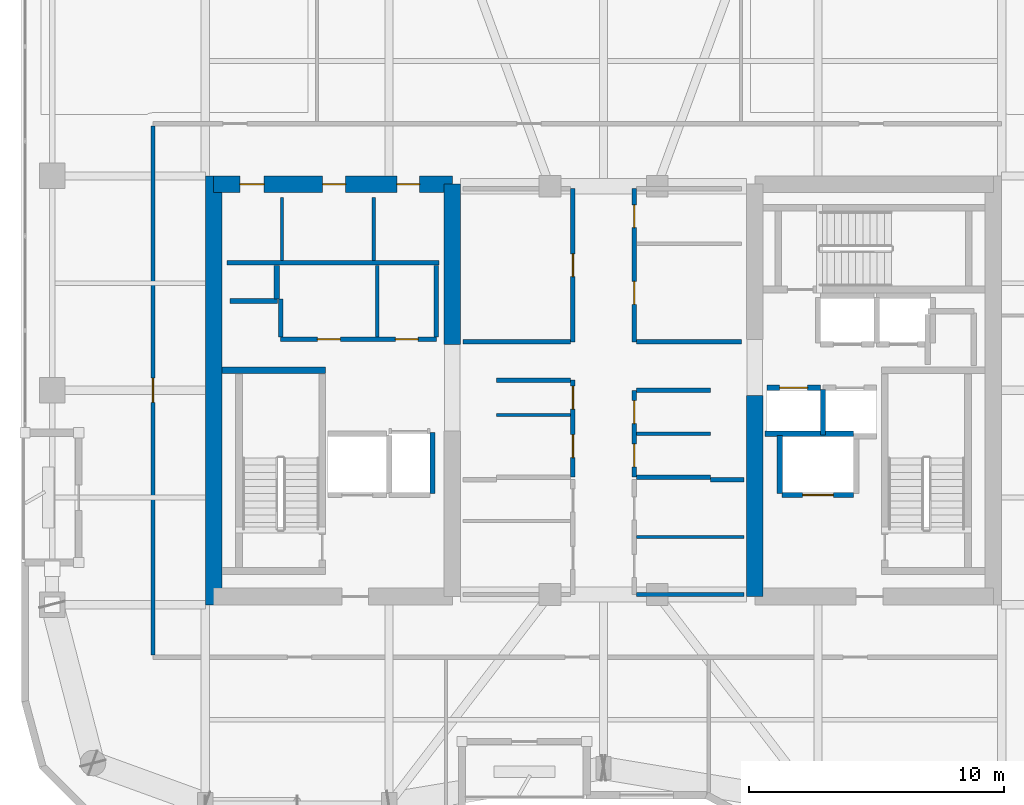
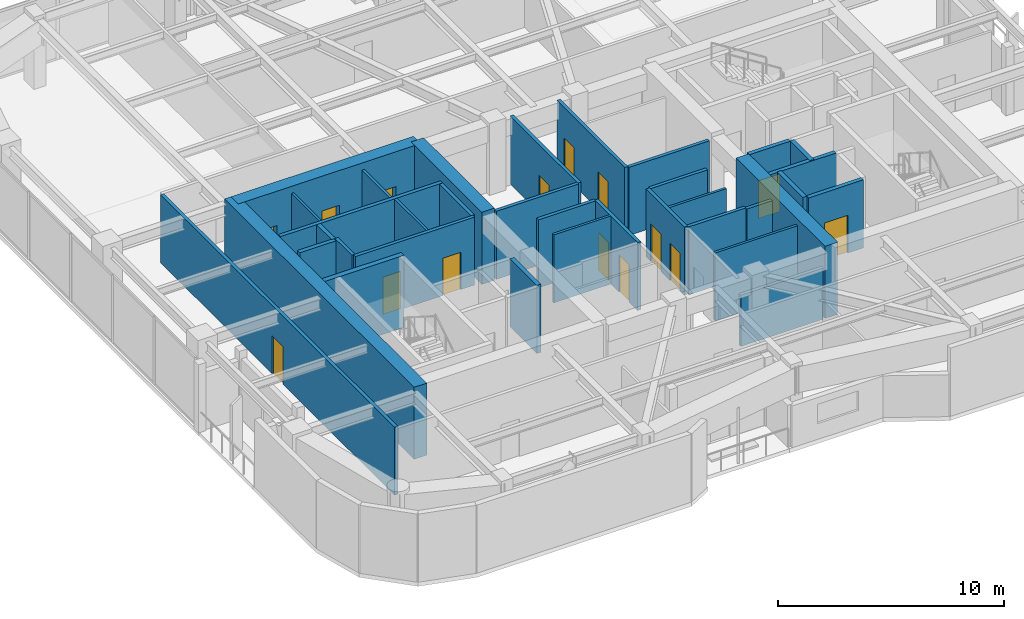
# One storey, part 16 of 21: 35 walls, 15 doors, 15 openings.
"""IFC4 building model written with IfcOpenShell, lengths in metres."""

import ifcopenshell
import ifcopenshell.guid

model = None  # the IFC model being written
_history = None  # IfcOwnerHistory: only IFC2X3 demands one
_inside = {}  # id of a spatial element -> (the spatial element, [elements in it])
_under = {}  # id of a project, library or spatial element -> (it, [spatial elements below it])
_declared = {}  # id of a project -> (the project, [libraries it declares])
_typed = {}  # id of a type object -> (the type object, [elements of that type])
_made_of = {}  # id of a material, layer set ... -> (it, [elements and type objects made of it])


def new_model(schema):
    """Start an empty IFC model of exactly this schema.

    Asked for "IFC4X3", IfcOpenShell would pick the latest addendum, in which some entities
    have other attributes; the version numbers below select the first issue.
    IFC2X3 requires an IfcOwnerHistory on every rooted entity: one is made here for all.
    """
    global model, _history
    if schema == "IFC4X3":
        model = ifcopenshell.file(schema_version=(4, 3, 0, 0))
    else:
        model = ifcopenshell.file(schema=schema)
    _inside.clear()
    _under.clear()
    _declared.clear()
    _typed.clear()
    _made_of.clear()
    _history = None
    if model.schema == "IFC2X3":
        org = make("IfcOrganization", Name="unknown")
        user = make(
            "IfcPersonAndOrganization",
            ThePerson=make("IfcPerson", FamilyName="unknown"),
            TheOrganization=org,
        )
        app = make(
            "IfcApplication",
            ApplicationDeveloper=org,
            Version="unknown",
            ApplicationFullName="unknown",
            ApplicationIdentifier="unknown",
        )
        _history = make(
            "IfcOwnerHistory",
            OwningUser=user,
            OwningApplication=app,
            ChangeAction="ADDED",
            CreationDate=0,
        )
    return model


def make(cls, **values):
    """One entity of the class cls with the attributes given. An attribute that is None is left unset."""
    return model.create_entity(
        cls, **{name: value for name, value in values.items() if value is not None}
    )


def rooted(cls, **values):
    """An entity with a GlobalId (a new one), such as an element, a storey or a relation."""
    return make(cls, GlobalId=ifcopenshell.guid.new(), OwnerHistory=_history, **values)


def si_unit(unit_type, name, prefix=None):
    """IfcSIUnit, for example si_unit("LENGTHUNIT", "METRE", prefix="MILLI")."""
    return make("IfcSIUnit", UnitType=unit_type, Prefix=prefix, Name=name)


def assignment(units):
    """IfcUnitAssignment: the units of a project."""
    return None if units is None else make("IfcUnitAssignment", Units=units)


def point(xyz):
    """IfcCartesianPoint."""
    return None if xyz is None else make("IfcCartesianPoint", Coordinates=xyz)


def direction(xyz):
    """IfcDirection."""
    return None if xyz is None else make("IfcDirection", DirectionRatios=xyz)


def frame(location, z_axis=None, x_axis=None):
    """IfcAxis2Placement3D, a coordinate frame: its origin and axes. An axis left out is left unset."""
    return make(
        "IfcAxis2Placement3D",
        Location=point(location),
        Axis=direction(z_axis),
        RefDirection=direction(x_axis),
    )


def frame_2d(location, x_axis=None):
    """IfcAxis2Placement2D, a coordinate frame in the plane: its origin and x axis."""
    return make(
        "IfcAxis2Placement2D", Location=point(location), RefDirection=direction(x_axis)
    )


def origin():
    """The frame at (0, 0, 0) with its axes left unset."""
    return frame((0.0, 0.0, 0.0))


def place(relative_to, where):
    """IfcLocalPlacement: puts the frame where relative to a parent placement (None: the world)."""
    return make(
        "IfcLocalPlacement", PlacementRelTo=relative_to, RelativePlacement=where
    )


def context(
    kind, dimensions, precision=None, world=None, true_north=None, identifier=None
):
    """IfcGeometricRepresentationContext, for example the 3D "Model" context."""
    return make(
        "IfcGeometricRepresentationContext",
        ContextIdentifier=identifier,
        ContextType=kind,
        CoordinateSpaceDimension=dimensions,
        Precision=precision,
        WorldCoordinateSystem=world,
        TrueNorth=true_north,
    )


def subcontext(parent, identifier, kind, view, scale=None):
    """IfcGeometricRepresentationSubContext, for example "Body" below "Model"."""
    return make(
        "IfcGeometricRepresentationSubContext",
        ContextIdentifier=identifier,
        ContextType=kind,
        ParentContext=parent,
        TargetScale=scale,
        TargetView=view,
    )


def project(units=None, contexts=None):
    """IfcProject with its units and contexts."""
    return rooted(
        "IfcProject",
        Name="project",
        RepresentationContexts=contexts,
        UnitsInContext=assignment(units),
    )


def spatial(cls, under=None, at=None, **own):
    """A site, building, storey or space (cls), placed at a placement, below another one or the project."""
    s = rooted(cls, ObjectPlacement=at, **own)
    if under is not None:
        _under.setdefault(under.id(), (under, []))[1].append(s)
    return s


def profile(cls, at=None, kind="AREA", **sizes):
    """A parametric profile (cls). Its sizes go by their IFC names, for example OverallWidth=200.0."""
    return make(cls, ProfileType=kind, Position=at, **sizes)


def rectangle(**sizes):
    """IfcRectangleProfileDef."""
    return profile("IfcRectangleProfileDef", **sizes)


def extrude(swept, where, along, depth):
    """IfcExtrudedAreaSolid: the profile swept, set in the frame where, extruded along a direction by depth."""
    return make(
        "IfcExtrudedAreaSolid",
        SweptArea=swept,
        Position=where,
        ExtrudedDirection=direction(along),
        Depth=depth,
    )


def shape(context_of_items, identifier, shape_type, items):
    """IfcShapeRepresentation: the items that make up one representation, for example the "Body"."""
    return make(
        "IfcShapeRepresentation",
        ContextOfItems=context_of_items,
        RepresentationIdentifier=identifier,
        RepresentationType=shape_type,
        Items=items,
    )


def material(Name=None, Category=None):
    """IfcMaterial."""
    return make("IfcMaterial", Name=Name, Category=Category)


def layer(
    of_material, thickness, ventilated=None, Name=None, Category=None, Priority=None
):
    """IfcMaterialLayer: one layer of a wall or slab, of a material (None: an air gap)."""
    return make(
        "IfcMaterialLayer",
        Material=of_material,
        LayerThickness=thickness,
        IsVentilated=ventilated,
        Name=Name,
        Category=Category,
        Priority=Priority,
    )


def layer_set(layers, Name=None):
    """IfcMaterialLayerSet."""
    return make("IfcMaterialLayerSet", MaterialLayers=layers, LayerSetName=Name)


def made_of(thing, what):
    """Note that an element or type object is made of a material, layer set ...; save() writes the relation."""
    if what is not None:
        _made_of.setdefault(what.id(), (what, []))[1].append(thing)
    return thing


def type_object(cls, material=None, **own):
    """A type object (cls), such as IfcWallType, which elements share."""
    return made_of(rooted(cls, **own), material)


def element(
    cls,
    number,
    at=None,
    inside=None,
    cuts=None,
    type_object=None,
    material=None,
    context=None,
    identifier="Body",
    shape_type=None,
    held_by="IfcProductDefinitionShape",
    body=None,
    shapes=None,
    **own,
):
    """One element of the class cls, such as IfcWall. Its Tag is "e" and its number.

    at: its placement. inside: the storey or other place that contains it. cuts: it is an
    opening in that element (IfcRelVoidsElement). A single representation is given by context,
    identifier, shape_type and body (its items); several are given by shapes. held_by: the class
    of the entity that holds the representations. save() writes the other relations.
    """
    e = rooted(cls, Tag="e%d" % number, ObjectPlacement=at, **own)
    if body is not None:
        shapes = [shape(context, identifier, shape_type, body)]
    if shapes is not None:
        e.Representation = make(held_by, Representations=shapes)
    if inside is not None:
        _inside.setdefault(inside.id(), (inside, []))[1].append(e)
    if cuts is not None:
        rooted(
            "IfcRelVoidsElement", RelatingBuildingElement=cuts, RelatedOpeningElement=e
        )
    if type_object is not None:
        _typed.setdefault(type_object.id(), (type_object, []))[1].append(e)
    return made_of(e, material)


def fill(opening, filler):
    """IfcRelFillsElement: the door or window that sits in an opening."""
    return rooted(
        "IfcRelFillsElement",
        RelatingOpeningElement=opening,
        RelatedBuildingElement=filler,
    )


def aggregate(whole, parts):
    """IfcRelAggregates: a whole, such as a stair, and the parts it consists of."""
    return rooted("IfcRelAggregates", RelatingObject=whole, RelatedObjects=parts)


def save(model, path):
    """Write the relations noted so far, then the file.

    IfcRelAggregates (storeys below a building ...), IfcRelContainedInSpatialStructure (elements
    in a storey), IfcRelDefinesByType, IfcRelAssociatesMaterial and IfcRelDeclares: one each for
    every whole, place, type object, material and project.
    """
    for whole, parts in _under.values():
        aggregate(whole, parts)
    for where, things in _inside.values():
        rooted(
            "IfcRelContainedInSpatialStructure",
            RelatedElements=things,
            RelatingStructure=where,
        )
    for kind, things in _typed.values():
        rooted("IfcRelDefinesByType", RelatedObjects=things, RelatingType=kind)
    for what, things in _made_of.values():
        rooted("IfcRelAssociatesMaterial", RelatedObjects=things, RelatingMaterial=what)
    for by, libraries in _declared.values():
        rooted("IfcRelDeclares", RelatingContext=by, RelatedDefinitions=libraries)
    model.write(path)


model = new_model("IFC4")

# Units and contexts
model_context = context("Model", 3, precision=1e-05, world=origin(), true_north=direction((0.0, 1.0)))
body_context = subcontext(model_context, "Body", "Model", "MODEL_VIEW")
ifc_project = project(units=[si_unit("LENGTHUNIT", "METRE"), si_unit("AREAUNIT", "SQUARE_METRE"), si_unit("VOLUMEUNIT", "CUBIC_METRE"), si_unit("PLANEANGLEUNIT", "RADIAN"), si_unit("MASSUNIT", "GRAM", prefix="KILO")], contexts=[model_context])

# Site, building, storey
site_placement = place(None, origin())
site = spatial("IfcSite", under=ifc_project, at=site_placement, CompositionType="ELEMENT")
building_placement = place(site_placement, origin())
building = spatial("IfcBuilding", under=site, at=building_placement, Name="Kiyonajd Concourse Tower", CompositionType="ELEMENT")
storey_placement = place(building_placement, frame((0.0, 0.0, 231.0)))
storey = spatial("IfcBuildingStorey", under=building, at=storey_placement, Name="L58", CompositionType="ELEMENT", Elevation=231.0)

# Walls
ifc_material_1 = material(Name="Concrete C60/75", Category="concrete")
ifc_layer_1 = layer(ifc_material_1, 0.64990234375)
ifc_layer_set_1 = layer_set([ifc_layer_1], Name="Concrete C60/75")
wall_type_1 = type_object("IfcWallType", Name="WL-CORE-650", PredefinedType="SHEAR", material=ifc_layer_set_1)
wall_1_placement = place(storey_placement, frame((32.72509765625, 27.60009765625, 0.0), z_axis=(0.0, 0.0, 1.0), x_axis=(0.0, 1.0, 0.0)))
element("IfcWall", 1, at=wall_1_placement, inside=storey, type_object=wall_type_1, Name="L58 West Core Outer Shear Wall", PredefinedType="SHEAR", context=body_context, shape_type="SweptSolid", body=[
    extrude(rectangle(XDim=16.7998046875, YDim=0.64990234375, at=frame_2d((8.39990234375, 0.0))), origin(), (0.0, 0.0, 1.0), 3.89990234375),
])
wall_2_placement = place(storey_placement, frame((42.074951171875, 37.800048828125, 0.0), z_axis=(0.0, 0.0, 1.0), x_axis=(0.0, 1.0, 0.0)))
element("IfcWall", 2, at=wall_2_placement, inside=storey, type_object=wall_type_1, Name="L58 West Core Inner North Shear Wall", PredefinedType="SHEAR", context=body_context, shape_type="SweptSolid", body=[
    extrude(rectangle(XDim=6.27490234375, YDim=0.64990234375, at=frame_2d((3.137451171875, 0.0))), origin(), (0.0, 0.0, 1.0), 3.89990234375),
])

# Wall, openings, doors
wall_3_placement = place(storey_placement, frame((32.72509765625, 44.074951171875, 0.0), z_axis=(0.0, 0.0, 1.0), x_axis=(1.0, 0.0, 0.0)))
wall_3 = element("IfcWall", 3, at=wall_3_placement, inside=storey, type_object=wall_type_1, Name="L58 West Core North Shear Wall", PredefinedType="SHEAR", context=body_context, shape_type="SweptSolid", body=[
    extrude(rectangle(XDim=9.349853515625, YDim=0.64990234375, at=frame_2d((4.6748046875, 0.0))), origin(), (0.0, 0.0, 1.0), 3.89990234375),
])
opening_1_placement = place(wall_3_placement, frame((1.02490234375, 0.0, 0.0)))
opening_1 = element("IfcOpeningElement", 4, at=opening_1_placement, cuts=wall_3, Name="Opening DI1", PredefinedType="OPENING", context=body_context, shape_type="SweptSolid", body=[
    extrude(rectangle(XDim=0.949951171875, YDim=2.0400390625, at=frame_2d((0.47509765625, 1.02001953125))), frame((0.0, 0.3349609375, 0.0), z_axis=(0.0, -1.0, 0.0), x_axis=(1.0, 0.0, 0.0)), (0.0, 0.0, 1.0), 0.669921875),
])
opening_2_placement = place(wall_3_placement, frame((4.27490234375, 0.0, 0.0)))
opening_2 = element("IfcOpeningElement", 5, at=opening_2_placement, cuts=wall_3, Name="Opening DI2", PredefinedType="OPENING", context=body_context, shape_type="SweptSolid", body=[
    extrude(rectangle(XDim=0.89990234375, YDim=2.02001953125, at=frame_2d((0.449951171875, 1.010009765625))), frame((0.0, 0.3349609375, 0.0), z_axis=(0.0, -1.0, 0.0), x_axis=(1.0, 0.0, 0.0)), (0.0, 0.0, 1.0), 0.669921875),
])
opening_3_placement = place(wall_3_placement, frame((7.175048828125, 0.0, 0.0)))
opening_3 = element("IfcOpeningElement", 6, at=opening_3_placement, cuts=wall_3, Name="Opening DI2", PredefinedType="OPENING", context=body_context, shape_type="SweptSolid", body=[
    extrude(rectangle(XDim=0.89990234375, YDim=2.02001953125, at=frame_2d((0.449951171875, 1.010009765625))), frame((0.0, 0.3349609375, 0.0), z_axis=(0.0, -1.0, 0.0), x_axis=(1.0, 0.0, 0.0)), (0.0, 0.0, 1.0), 0.669921875),
])
ifc_material_2 = material(Name="Natural Oak Acoustic Timber Veneer", Category="wood")
door_type_1 = type_object("IfcDoorType", Name="DR-INT-900", OperationType="NOTDEFINED", PredefinedType="DOOR", material=ifc_material_2)
door_1_placement = place(opening_2_placement, origin())
door_1 = element("IfcDoor", 7, at=door_1_placement, inside=storey, type_object=door_type_1, Name="L58 Male Restroom Door", OperationType="SINGLE_SWING_RIGHT", OverallHeight=2.02001953125, OverallWidth=0.89990234375, PredefinedType="DOOR", context=body_context, shape_type="SweptSolid", body=[
    extrude(rectangle(XDim=0.89990234375, YDim=2.02001953125, at=frame_2d((0.449951171875, 1.010009765625))), frame((0.0, 0.02490234375, 0.0), z_axis=(0.0, -1.0, 0.0), x_axis=(1.0, 0.0, 0.0)), (0.0, 0.0, 1.0), 0.050048828125),
])
fill(opening_2, door_1)
door_2_placement = place(opening_3_placement, origin())
door_2 = element("IfcDoor", 8, at=door_2_placement, inside=storey, type_object=door_type_1, Name="L58 Female Restroom Door", OperationType="SINGLE_SWING_LEFT", OverallHeight=2.02001953125, OverallWidth=0.89990234375, PredefinedType="DOOR", context=body_context, shape_type="SweptSolid", body=[
    extrude(rectangle(XDim=0.89990234375, YDim=2.02001953125, at=frame_2d((0.449951171875, 1.010009765625))), frame((0.0, 0.02490234375, 0.0), z_axis=(0.0, -1.0, 0.0), x_axis=(1.0, 0.0, 0.0)), (0.0, 0.0, 1.0), 0.050048828125),
])
fill(opening_3, door_2)
door_type_2 = type_object("IfcDoorType", Name="DR-INT-950", OperationType="NOTDEFINED", PredefinedType="DOOR", material=ifc_material_2)
door_3_placement = place(opening_1_placement, origin())
door_3 = element("IfcDoor", 9, at=door_3_placement, inside=storey, type_object=door_type_2, Name="L58 Single User Accessible WC Door", OperationType="SINGLE_SWING_LEFT", OverallHeight=2.0400390625, OverallWidth=0.949951171875, PredefinedType="DOOR", context=body_context, shape_type="SweptSolid", body=[
    extrude(rectangle(XDim=0.949951171875, YDim=2.0400390625, at=frame_2d((0.47509765625, 1.02001953125))), frame((0.0, 0.02490234375, 0.0), z_axis=(0.0, -1.0, 0.0), x_axis=(1.0, 0.0, 0.0)), (0.0, 0.0, 1.0), 0.050048828125),
])
fill(opening_1, door_3)

# Walls
wall_4_placement = place(storey_placement, frame((53.925048828125, 27.925048828125, 0.0), z_axis=(0.0, 0.0, 1.0), x_axis=(0.0, 1.0, 0.0)))
element("IfcWall", 10, at=wall_4_placement, inside=storey, type_object=wall_type_1, Name="L58 East Core Inner South Shear Wall", PredefinedType="SHEAR", context=body_context, shape_type="SweptSolid", body=[
    extrude(rectangle(XDim=7.875, YDim=0.64990234375, at=frame_2d((3.9375, 0.0))), origin(), (0.0, 0.0, 1.0), 3.89990234375),
])
ifc_material_3 = material(Name="Gypsum Board on Cold-Formed Steel Stud", Category="steel")
ifc_layer_2 = layer(ifc_material_3, 0.125)
ifc_layer_set_2 = layer_set([ifc_layer_2], Name="Gypsum Board on Cold-Formed Steel Stud")
wall_type_2 = type_object("IfcWallType", Name="WL-PART-125", PredefinedType="PARTITIONING", material=ifc_layer_set_2)
for number, where, z_axis, x_axis, name in (
    (11, (35.39990234375, 41.094970703125, 0.0), (0.0, 0.0, 1.0), (0.0, 1.0, 0.0), "L58 Interior Partition Wall"),
    (12, (39.0, 41.094970703125, 0.0), (0.0, 0.0, 1.0), (0.0, 1.0, 0.0), "L58 Interior Partition Wall"),
):
    element("IfcWall", number, at=place(storey_placement, frame(where, z_axis=z_axis, x_axis=x_axis)), inside=storey, type_object=wall_type_2, Name=name, PredefinedType="PARTITIONING", context=body_context, shape_type="SweptSolid", body=[
        extrude(rectangle(XDim=2.455078125, YDim=0.125, at=frame_2d((1.2275390625, 0.0))), origin(), (0.0, 0.0, 1.0), 3.679931640625),
    ])
wall_5_placement = place(storey_placement, frame((39.132080078125, 38.0869140625, 0.0), z_axis=(0.0, 0.0, 1.0), x_axis=(0.0, 1.0, 0.0)))
element("IfcWall", 13, at=wall_5_placement, inside=storey, type_object=wall_type_2, Name="L58 Interior Partition Wall", PredefinedType="PARTITIONING", context=body_context, shape_type="SweptSolid", body=[
    extrude(rectangle(XDim=2.81298828125, YDim=0.125, at=frame_2d((1.406494140625, 0.0))), origin(), (0.0, 0.0, 1.0), 3.679931640625),
])
for number, where, z_axis, x_axis, name in (
    (14, (43.800048828125, 35.031982421875, 0.0), (0.0, 0.0, 1.0), (1.0, 0.0, 0.0), "L58 Interior Partition Wall"),
    (15, (49.287109375, 34.300048828125, 0.0), (0.0, 0.0, 1.0), (1.0, 0.0, 0.0), "L58 Interior Partition Wall"),
):
    element("IfcWall", number, at=place(storey_placement, frame(where, z_axis=z_axis, x_axis=x_axis)), inside=storey, type_object=wall_type_2, Name=name, PredefinedType="PARTITIONING", context=body_context, shape_type="SweptSolid", body=[
        extrude(rectangle(XDim=2.912841796875, YDim=0.125, at=frame_2d((1.45654296875, 0.0))), origin(), (0.0, 0.0, 1.0), 3.679931640625),
    ])
wall_6_placement = place(storey_placement, frame((49.287109375, 30.25, 0.0), z_axis=(0.0, 0.0, 1.0), x_axis=(1.0, 0.0, 0.0)))
element("IfcWall", 16, at=wall_6_placement, inside=storey, type_object=wall_type_2, Name="L58 Interior Partition Wall", PredefinedType="PARTITIONING", context=body_context, shape_type="SweptSolid", body=[
    extrude(rectangle(XDim=4.212890625, YDim=0.125, at=frame_2d((2.1064453125, 0.0))), origin(), (0.0, 0.0, 1.0), 3.679931640625),
])
ifc_layer_3 = layer(ifc_material_3, 0.18994140625)
ifc_layer_set_3 = layer_set([ifc_layer_3], Name="Gypsum Board on Cold-Formed Steel Stud")
wall_type_3 = type_object("IfcWallType", Name="WL-PLMB-190", PredefinedType="PLUMBINGWALL", material=ifc_layer_set_3)
wall_7_placement = place(storey_placement, frame((33.25, 41.0, 0.0), z_axis=(0.0, 0.0, 1.0), x_axis=(1.0, 0.0, 0.0)))
element("IfcWall", 17, at=wall_7_placement, inside=storey, type_object=wall_type_3, Name="L58 Interior Partition Wall", PredefinedType="PLUMBINGWALL", context=body_context, shape_type="SweptSolid", body=[
    extrude(rectangle(XDim=8.300048828125, YDim=0.18994140625, at=frame_2d((4.14990234375, 0.0))), origin(), (0.0, 0.0, 1.0), 3.679931640625),
])
ifc_layer_4 = layer(ifc_material_3, 0.2099609375)
ifc_layer_set_4 = layer_set([ifc_layer_4], Name="Gypsum Board on Cold-Formed Steel Stud")
wall_type_4 = type_object("IfcWallType", Name="WL-SHAFT-210", PredefinedType="PARTITIONING", material=ifc_layer_set_4)
wall_8_placement = place(storey_placement, frame((33.360107421875, 39.5, 0.0), z_axis=(0.0, 0.0, 1.0), x_axis=(1.0, 0.0, 0.0)))
element("IfcWall", 18, at=wall_8_placement, inside=storey, type_object=wall_type_4, Name="L58 Shaft Enclosure Wall", PredefinedType="PARTITIONING", context=body_context, shape_type="SweptSolid", body=[
    extrude(rectangle(XDim=1.85986328125, YDim=0.2099609375, at=frame_2d((0.929931640625, 0.0))), origin(), (0.0, 0.0, 1.0), 3.679931640625),
])
wall_9_placement = place(storey_placement, frame((35.199951171875, 39.580078125, 0.0), z_axis=(0.0, 0.0, 1.0), x_axis=(0.0, 1.0, 0.0)))
element("IfcWall", 19, at=wall_9_placement, inside=storey, type_object=wall_type_4, Name="L58 Shaft Enclosure Wall", PredefinedType="PARTITIONING", context=body_context, shape_type="SweptSolid", body=[
    extrude(rectangle(XDim=1.31982421875, YDim=0.2099609375, at=frame_2d((0.659912109375, 0.0))), origin(), (0.0, 0.0, 1.0), 3.679931640625),
])

# Wall, opening, door
wall_10_placement = place(storey_placement, frame((55.0, 31.89990234375, 0.0), z_axis=(0.0, 0.0, 1.0), x_axis=(1.0, 0.0, 0.0)))
wall_10 = element("IfcWall", 20, at=wall_10_placement, inside=storey, type_object=wall_type_4, Name="L58 Shaft Enclosure Wall", PredefinedType="PARTITIONING", context=body_context, shape_type="SweptSolid", body=[
    extrude(rectangle(XDim=2.800048828125, YDim=0.2099609375, at=frame_2d((1.39990234375, 0.0))), origin(), (0.0, 0.0, 1.0), 3.679931640625),
])
opening_4_placement = place(wall_10_placement, frame((0.800048828125, 0.0, 0.0)))
opening_4 = element("IfcOpeningElement", 21, at=opening_4_placement, cuts=wall_10, Name="Opening LD2", PredefinedType="OPENING", context=body_context, shape_type="SweptSolid", body=[
    extrude(rectangle(XDim=1.199951171875, YDim=2.0400390625, at=frame_2d((0.60009765625, 1.02001953125))), frame((0.0, 0.114990234375, 0.0), z_axis=(0.0, -1.0, 0.0), x_axis=(1.0, 0.0, 0.0)), (0.0, 0.0, 1.0), 0.22998046875),
])
ifc_material_4 = material(Name="Brushed Stainless Steel Cab Assembly", Category="steel")
door_type_3 = type_object("IfcDoorType", Name="DR-LD-1200", OperationType="DOUBLE_DOOR_SLIDING", PredefinedType="DOOR", material=ifc_material_4)
door_4_placement = place(opening_4_placement, origin())
door_4 = element("IfcDoor", 22, at=door_4_placement, inside=storey, type_object=door_type_3, Name="L58 Lift FFL2 Sliding Landing Door", OperationType="DOUBLE_DOOR_SLIDING", OverallHeight=2.0400390625, OverallWidth=1.199951171875, PredefinedType="DOOR", context=body_context, shape_type="SweptSolid", body=[
    extrude(rectangle(XDim=1.199951171875, YDim=2.0400390625, at=frame_2d((0.60009765625, 1.02001953125))), frame((0.0, 0.02490234375, 0.0), z_axis=(0.0, -1.0, 0.0), x_axis=(1.0, 0.0, 0.0)), (0.0, 0.0, 1.0), 0.050048828125),
])
fill(opening_4, door_4)

# Walls
wall_11_placement = place(storey_placement, frame((54.320068359375, 34.300048828125, 0.0), z_axis=(0.0, 0.0, 1.0), x_axis=(1.0, 0.0, 0.0)))
element("IfcWall", 23, at=wall_11_placement, inside=storey, type_object=wall_type_4, Name="L58 Shaft Enclosure Wall", PredefinedType="PARTITIONING", context=body_context, shape_type="SweptSolid", body=[
    extrude(rectangle(XDim=3.47998046875, YDim=0.2099609375, at=frame_2d((1.739990234375, 0.0))), origin(), (0.0, 0.0, 1.0), 3.679931640625),
])
wall_12_placement = place(storey_placement, frame((54.89990234375, 31.9599609375, 0.0), z_axis=(0.0, 0.0, 1.0), x_axis=(0.0, 1.0, 0.0)))
element("IfcWall", 24, at=wall_12_placement, inside=storey, type_object=wall_type_4, Name="L58 Shaft Enclosure Wall", PredefinedType="PARTITIONING", context=body_context, shape_type="SweptSolid", body=[
    extrude(rectangle(XDim=2.280029296875, YDim=0.2099609375, at=frame_2d((1.14013671875, 0.0))), origin(), (0.0, 0.0, 1.0), 3.679931640625),
])
wall_13_placement = place(storey_placement, frame((41.300048828125, 31.9599609375, 0.0), z_axis=(0.0, 0.0, 1.0), x_axis=(0.0, 1.0, 0.0)))
element("IfcWall", 25, at=wall_13_placement, inside=storey, type_object=wall_type_4, Name="L58 Shaft Enclosure Wall", PredefinedType="PARTITIONING", context=body_context, shape_type="SweptSolid", body=[
    extrude(rectangle(XDim=2.380126953125, YDim=0.2099609375, at=frame_2d((1.18994140625, 0.0))), origin(), (0.0, 0.0, 1.0), 3.679931640625),
])

# Wall, opening, door
wall_14_placement = place(storey_placement, frame((54.39990234375, 36.10009765625, 0.0), z_axis=(0.0, 0.0, 1.0), x_axis=(1.0, 0.0, 0.0)))
wall_14 = element("IfcWall", 26, at=wall_14_placement, inside=storey, type_object=wall_type_4, Name="L58 Shaft Enclosure Wall", PredefinedType="PARTITIONING", context=body_context, shape_type="SweptSolid", body=[
    extrude(rectangle(XDim=2.10009765625, YDim=0.2099609375, at=frame_2d((1.050048828125, 0.0))), origin(), (0.0, 0.0, 1.0), 3.679931640625),
])
opening_5_placement = place(wall_14_placement, frame((0.5, 0.0, 0.0)))
opening_5 = element("IfcOpeningElement", 27, at=opening_5_placement, cuts=wall_14, Name="Opening LD1", PredefinedType="OPENING", context=body_context, shape_type="SweptSolid", body=[
    extrude(rectangle(XDim=1.10009765625, YDim=2.0400390625, at=frame_2d((0.550048828125, 1.02001953125))), frame((0.0, 0.114990234375, 0.0), z_axis=(0.0, -1.0, 0.0), x_axis=(1.0, 0.0, 0.0)), (0.0, 0.0, 1.0), 0.22998046875),
])
door_type_4 = type_object("IfcDoorType", Name="DR-LD-1100", OperationType="DOUBLE_DOOR_SLIDING", PredefinedType="DOOR", material=ifc_material_4)
door_5_placement = place(opening_5_placement, origin())
door_5 = element("IfcDoor", 28, at=door_5_placement, inside=storey, type_object=door_type_4, Name="L58 Lift PL-H1 Sliding Landing Door", OperationType="DOUBLE_DOOR_SLIDING", OverallHeight=2.0400390625, OverallWidth=1.10009765625, PredefinedType="DOOR", context=body_context, shape_type="SweptSolid", body=[
    extrude(rectangle(XDim=1.10009765625, YDim=2.0400390625, at=frame_2d((0.550048828125, 1.02001953125))), frame((0.0, 0.02490234375, 0.0), z_axis=(0.0, -1.0, 0.0), x_axis=(1.0, 0.0, 0.0)), (0.0, 0.0, 1.0), 0.050048828125),
])
fill(opening_5, door_5)

# Wall
wall_15_placement = place(storey_placement, frame((56.60009765625, 34.260009765625, 0.0), z_axis=(0.0, 0.0, 1.0), x_axis=(0.0, 1.0, 0.0)))
element("IfcWall", 29, at=wall_15_placement, inside=storey, type_object=wall_type_4, Name="L58 Shaft Enclosure Wall", PredefinedType="PARTITIONING", context=body_context, shape_type="SweptSolid", body=[
    extrude(rectangle(XDim=1.780029296875, YDim=0.2099609375, at=frame_2d((0.89013671875, 0.0))), origin(), (0.0, 0.0, 1.0), 3.679931640625),
])

# Wall, openings, doors
ifc_layer_5 = layer(ifc_material_3, 0.169921875)
ifc_layer_set_5 = layer_set([ifc_layer_5], Name="Gypsum Board on Cold-Formed Steel Stud")
wall_type_5 = type_object("IfcWallType", Name="WL-SMK-170", PredefinedType="PARTITIONING", material=ifc_layer_set_5)
wall_16_placement = place(storey_placement, frame((35.35009765625, 38.0, 0.0), z_axis=(0.0, 0.0, 1.0), x_axis=(1.0, 0.0, 0.0)))
wall_16 = element("IfcWall", 30, at=wall_16_placement, inside=storey, type_object=wall_type_5, Name="L58 Interior Partition Wall", PredefinedType="PARTITIONING", context=body_context, shape_type="SweptSolid", body=[
    extrude(rectangle(XDim=6.099853515625, YDim=0.169921875, at=frame_2d((3.0498046875, 0.0))), origin(), (0.0, 0.0, 1.0), 3.679931640625),
])
opening_6_placement = place(wall_16_placement, frame((1.44091796875, 0.0, 0.0)))
opening_6 = element("IfcOpeningElement", 31, at=opening_6_placement, cuts=wall_16, Name="Opening DF4", PredefinedType="OPENING", context=body_context, shape_type="SweptSolid", body=[
    extrude(rectangle(XDim=0.89990234375, YDim=2.02001953125, at=frame_2d((0.449951171875, 1.010009765625))), frame((0.0, 0.094970703125, 0.0), z_axis=(0.0, -1.0, 0.0), x_axis=(1.0, 0.0, 0.0)), (0.0, 0.0, 1.0), 0.18994140625),
])
opening_7_placement = place(wall_16_placement, frame((4.490966796875, 0.0, 0.0)))
opening_7 = element("IfcOpeningElement", 32, at=opening_7_placement, cuts=wall_16, Name="Opening DF4", PredefinedType="OPENING", context=body_context, shape_type="SweptSolid", body=[
    extrude(rectangle(XDim=0.89990234375, YDim=2.02001953125, at=frame_2d((0.449951171875, 1.010009765625))), frame((0.0, 0.094970703125, 0.0), z_axis=(0.0, -1.0, 0.0), x_axis=(1.0, 0.0, 0.0)), (0.0, 0.0, 1.0), 0.18994140625),
])
door_type_5 = type_object("IfcDoorType", Name="DR-FD60-900", OperationType="NOTDEFINED", PredefinedType="DOOR", material=ifc_material_4)
door_6_placement = place(opening_6_placement, origin())
door_6 = element("IfcDoor", 33, at=door_6_placement, inside=storey, type_object=door_type_5, Name="L58 Interior Door", OperationType="SINGLE_SWING_RIGHT", OverallHeight=2.02001953125, OverallWidth=0.89990234375, PredefinedType="DOOR", context=body_context, shape_type="SweptSolid", body=[
    extrude(rectangle(XDim=0.89990234375, YDim=2.02001953125, at=frame_2d((0.449951171875, 1.010009765625))), frame((0.0, 0.02490234375, 0.0), z_axis=(0.0, -1.0, 0.0), x_axis=(1.0, 0.0, 0.0)), (0.0, 0.0, 1.0), 0.050048828125),
])
fill(opening_6, door_6)
door_7_placement = place(opening_7_placement, origin())
door_7 = element("IfcDoor", 34, at=door_7_placement, inside=storey, type_object=door_type_5, Name="L58 Interior Door", OperationType="SINGLE_SWING_LEFT", OverallHeight=2.02001953125, OverallWidth=0.89990234375, PredefinedType="DOOR", context=body_context, shape_type="SweptSolid", body=[
    extrude(rectangle(XDim=0.89990234375, YDim=2.02001953125, at=frame_2d((0.449951171875, 1.010009765625))), frame((0.0, 0.02490234375, 0.0), z_axis=(0.0, -1.0, 0.0), x_axis=(1.0, 0.0, 0.0)), (0.0, 0.0, 1.0), 0.050048828125),
])
fill(opening_7, door_7)

# Walls
wall_17_placement = place(storey_placement, frame((35.35009765625, 38.0869140625, 0.0), z_axis=(0.0, 0.0, 1.0), x_axis=(0.0, 1.0, 0.0)))
element("IfcWall", 35, at=wall_17_placement, inside=storey, type_object=wall_type_5, Name="L58 Interior Partition Wall", PredefinedType="PARTITIONING", context=body_context, shape_type="SweptSolid", body=[
    extrude(rectangle(XDim=1.4931640625, YDim=0.169921875, at=frame_2d((0.74658203125, 0.0))), origin(), (0.0, 0.0, 1.0), 3.679931640625),
])
wall_18_placement = place(storey_placement, frame((41.449951171875, 38.0869140625, 0.0), z_axis=(0.0, 0.0, 1.0), x_axis=(0.0, 1.0, 0.0)))
element("IfcWall", 36, at=wall_18_placement, inside=storey, type_object=wall_type_5, Name="L58 Interior Partition Wall", PredefinedType="PARTITIONING", context=body_context, shape_type="SweptSolid", body=[
    extrude(rectangle(XDim=2.81298828125, YDim=0.169921875, at=frame_2d((1.406494140625, 0.0))), origin(), (0.0, 0.0, 1.0), 3.679931640625),
])

# Wall, openings, doors
wall_19_placement = place(storey_placement, frame((46.800048828125, 32.60009765625, 0.0), z_axis=(0.0, 0.0, 1.0), x_axis=(0.0, 1.0, 0.0)))
wall_19 = element("IfcWall", 37, at=wall_19_placement, inside=storey, type_object=wall_type_5, Name="L58 Interior Partition Wall", PredefinedType="PARTITIONING", context=body_context, shape_type="SweptSolid", body=[
    extrude(rectangle(XDim=3.7998046875, YDim=0.169921875, at=frame_2d((1.89990234375, 0.0))), origin(), (0.0, 0.0, 1.0), 3.679931640625),
])
opening_8_placement = place(wall_19_placement, frame((0.76611328125, 0.0, 0.0)))
opening_8 = element("IfcOpeningElement", 38, at=opening_8_placement, cuts=wall_19, Name="Opening DF4", PredefinedType="OPENING", context=body_context, shape_type="SweptSolid", body=[
    extrude(rectangle(XDim=0.89990234375, YDim=2.02001953125, at=frame_2d((0.449951171875, 1.010009765625))), frame((0.0, 0.094970703125, 0.0), z_axis=(0.0, -1.0, 0.0), x_axis=(1.0, 0.0, 0.0)), (0.0, 0.0, 1.0), 0.18994140625),
])
opening_9_placement = place(wall_19_placement, frame((2.666015625, 0.0, 0.0)))
opening_9 = element("IfcOpeningElement", 39, at=opening_9_placement, cuts=wall_19, Name="Opening DF4", PredefinedType="OPENING", context=body_context, shape_type="SweptSolid", body=[
    extrude(rectangle(XDim=0.89990234375, YDim=2.02001953125, at=frame_2d((0.449951171875, 1.010009765625))), frame((0.0, 0.094970703125, 0.0), z_axis=(0.0, -1.0, 0.0), x_axis=(1.0, 0.0, 0.0)), (0.0, 0.0, 1.0), 0.18994140625),
])
door_8_placement = place(opening_8_placement, origin())
door_8 = element("IfcDoor", 40, at=door_8_placement, inside=storey, type_object=door_type_5, Name="L58 Interior Door", OperationType="SINGLE_SWING_RIGHT", OverallHeight=2.02001953125, OverallWidth=0.89990234375, PredefinedType="DOOR", context=body_context, shape_type="SweptSolid", body=[
    extrude(rectangle(XDim=0.89990234375, YDim=2.02001953125, at=frame_2d((0.449951171875, 1.010009765625))), frame((0.0, 0.02490234375, 0.0), z_axis=(0.0, -1.0, 0.0), x_axis=(1.0, 0.0, 0.0)), (0.0, 0.0, 1.0), 0.050048828125),
])
fill(opening_8, door_8)
door_9_placement = place(opening_9_placement, origin())
door_9 = element("IfcDoor", 41, at=door_9_placement, inside=storey, type_object=door_type_5, Name="L58 Interior Door", OperationType="SINGLE_SWING_LEFT", OverallHeight=2.02001953125, OverallWidth=0.89990234375, PredefinedType="DOOR", context=body_context, shape_type="SweptSolid", body=[
    extrude(rectangle(XDim=0.89990234375, YDim=2.02001953125, at=frame_2d((0.449951171875, 1.010009765625))), frame((0.0, 0.02490234375, 0.0), z_axis=(0.0, -1.0, 0.0), x_axis=(1.0, 0.0, 0.0)), (0.0, 0.0, 1.0), 0.050048828125),
])
fill(opening_9, door_9)

# Wall
wall_20_placement = place(storey_placement, frame((43.800048828125, 36.39990234375, 0.0), z_axis=(0.0, 0.0, 1.0), x_axis=(1.0, 0.0, 0.0)))
element("IfcWall", 42, at=wall_20_placement, inside=storey, type_object=wall_type_5, Name="L58 Interior Partition Wall", PredefinedType="PARTITIONING", context=body_context, shape_type="SweptSolid", body=[
    extrude(rectangle(XDim=2.912841796875, YDim=0.169921875, at=frame_2d((1.45654296875, 0.0))), origin(), (0.0, 0.0, 1.0), 3.679931640625),
])

# Wall, openings, doors
wall_21_placement = place(storey_placement, frame((49.199951171875, 32.60009765625, 0.0), z_axis=(0.0, 0.0, 1.0), x_axis=(0.0, 1.0, 0.0)))
wall_21 = element("IfcWall", 43, at=wall_21_placement, inside=storey, type_object=wall_type_5, Name="L58 Interior Partition Wall", PredefinedType="PARTITIONING", context=body_context, shape_type="SweptSolid", body=[
    extrude(rectangle(XDim=3.39990234375, YDim=0.169921875, at=frame_2d((1.699951171875, 0.0))), origin(), (0.0, 0.0, 1.0), 3.679931640625),
])
opening_10_placement = place(wall_21_placement, frame((0.39990234375, 0.0, 0.0)))
opening_10 = element("IfcOpeningElement", 44, at=opening_10_placement, cuts=wall_21, Name="Opening DI2", PredefinedType="OPENING", context=body_context, shape_type="SweptSolid", body=[
    extrude(rectangle(XDim=0.89990234375, YDim=2.02001953125, at=frame_2d((0.449951171875, 1.010009765625))), frame((0.0, 0.094970703125, 0.0), z_axis=(0.0, -1.0, 0.0), x_axis=(1.0, 0.0, 0.0)), (0.0, 0.0, 1.0), 0.18994140625),
])
opening_11_placement = place(wall_21_placement, frame((2.10009765625, 0.0, 0.0)))
opening_11 = element("IfcOpeningElement", 45, at=opening_11_placement, cuts=wall_21, Name="Opening DI2", PredefinedType="OPENING", context=body_context, shape_type="SweptSolid", body=[
    extrude(rectangle(XDim=0.89990234375, YDim=2.02001953125, at=frame_2d((0.449951171875, 1.010009765625))), frame((0.0, 0.094970703125, 0.0), z_axis=(0.0, -1.0, 0.0), x_axis=(1.0, 0.0, 0.0)), (0.0, 0.0, 1.0), 0.18994140625),
])
door_10_placement = place(opening_10_placement, origin())
door_10 = element("IfcDoor", 46, at=door_10_placement, inside=storey, type_object=door_type_1, Name="L58 Interior Door", OperationType="SINGLE_SWING_RIGHT", OverallHeight=2.02001953125, OverallWidth=0.89990234375, PredefinedType="DOOR", context=body_context, shape_type="SweptSolid", body=[
    extrude(rectangle(XDim=0.89990234375, YDim=2.02001953125, at=frame_2d((0.449951171875, 1.010009765625))), frame((0.0, 0.02490234375, 0.0), z_axis=(0.0, -1.0, 0.0), x_axis=(1.0, 0.0, 0.0)), (0.0, 0.0, 1.0), 0.050048828125),
])
fill(opening_10, door_10)
door_11_placement = place(opening_11_placement, origin())
door_11 = element("IfcDoor", 47, at=door_11_placement, inside=storey, type_object=door_type_1, Name="L58 Interior Door", OperationType="SINGLE_SWING_LEFT", OverallHeight=2.02001953125, OverallWidth=0.89990234375, PredefinedType="DOOR", context=body_context, shape_type="SweptSolid", body=[
    extrude(rectangle(XDim=0.89990234375, YDim=2.02001953125, at=frame_2d((0.449951171875, 1.010009765625))), frame((0.0, 0.02490234375, 0.0), z_axis=(0.0, -1.0, 0.0), x_axis=(1.0, 0.0, 0.0)), (0.0, 0.0, 1.0), 0.050048828125),
])
fill(opening_11, door_11)

# Walls
for number, where, z_axis, x_axis, name in (
    (48, (49.287109375, 32.60009765625, 0.0), (0.0, 0.0, 1.0), (1.0, 0.0, 0.0), "L58 Interior Partition Wall"),
    (49, (49.287109375, 36.0, 0.0), (0.0, 0.0, 1.0), (1.0, 0.0, 0.0), "L58 Interior Partition Wall"),
):
    element("IfcWall", number, at=place(storey_placement, frame(where, z_axis=z_axis, x_axis=x_axis)), inside=storey, type_object=wall_type_5, Name=name, PredefinedType="PARTITIONING", context=body_context, shape_type="SweptSolid", body=[
        extrude(rectangle(XDim=2.912841796875, YDim=0.169921875, at=frame_2d((1.45654296875, 0.0))), origin(), (0.0, 0.0, 1.0), 3.679931640625),
    ])
wall_22_placement = place(storey_placement, frame((49.287109375, 28.0, 0.0), z_axis=(0.0, 0.0, 1.0), x_axis=(1.0, 0.0, 0.0)))
element("IfcWall", 50, at=wall_22_placement, inside=storey, type_object=wall_type_5, Name="L58 Interior Partition Wall", PredefinedType="PARTITIONING", context=body_context, shape_type="SweptSolid", body=[
    extrude(rectangle(XDim=4.212890625, YDim=0.169921875, at=frame_2d((2.1064453125, 0.0))), origin(), (0.0, 0.0, 1.0), 2.764892578125),
])
wall_23_placement = place(storey_placement, frame((52.199951171875, 32.5, 0.0), z_axis=(0.0, 0.0, 1.0), x_axis=(1.0, 0.0, 0.0)))
element("IfcWall", 51, at=wall_23_placement, inside=storey, type_object=wall_type_5, Name="L58 Interior Partition Wall", PredefinedType="PARTITIONING", context=body_context, shape_type="SweptSolid", body=[
    extrude(rectangle(XDim=1.300048828125, YDim=0.169921875, at=frame_2d((0.64990234375, 0.0))), origin(), (0.0, 0.0, 1.0), 3.679931640625),
])

# Wall, opening, door
wall_24_placement = place(storey_placement, frame((46.800048828125, 37.89990234375, 0.0), z_axis=(0.0, 0.0, 1.0), x_axis=(0.0, 1.0, 0.0)))
wall_24 = element("IfcWall", 52, at=wall_24_placement, inside=storey, type_object=wall_type_5, Name="L58 Interior Partition Wall", PredefinedType="PARTITIONING", context=body_context, shape_type="SweptSolid", body=[
    extrude(rectangle(XDim=6.0, YDim=0.169921875, at=frame_2d((3.0, 0.0))), origin(), (0.0, 0.0, 1.0), 3.679931640625),
])
opening_12_placement = place(wall_24_placement, frame((2.550048828125, 0.0, 0.0)))
opening_12 = element("IfcOpeningElement", 53, at=opening_12_placement, cuts=wall_24, Name="Opening DI2", PredefinedType="OPENING", context=body_context, shape_type="SweptSolid", body=[
    extrude(rectangle(XDim=0.89990234375, YDim=2.02001953125, at=frame_2d((0.449951171875, 1.010009765625))), frame((0.0, 0.094970703125, 0.0), z_axis=(0.0, -1.0, 0.0), x_axis=(1.0, 0.0, 0.0)), (0.0, 0.0, 1.0), 0.18994140625),
])
door_12_placement = place(opening_12_placement, origin())
door_12 = element("IfcDoor", 54, at=door_12_placement, inside=storey, type_object=door_type_1, Name="L58 Interior Door", OperationType="SINGLE_SWING_RIGHT", OverallHeight=2.02001953125, OverallWidth=0.89990234375, PredefinedType="DOOR", context=body_context, shape_type="SweptSolid", body=[
    extrude(rectangle(XDim=0.89990234375, YDim=2.02001953125, at=frame_2d((0.449951171875, 1.010009765625))), frame((0.0, 0.02490234375, 0.0), z_axis=(0.0, -1.0, 0.0), x_axis=(1.0, 0.0, 0.0)), (0.0, 0.0, 1.0), 0.050048828125),
])
fill(opening_12, door_12)

# Wall
wall_25_placement = place(storey_placement, frame((42.5, 37.89990234375, 0.0), z_axis=(0.0, 0.0, 1.0), x_axis=(1.0, 0.0, 0.0)))
element("IfcWall", 55, at=wall_25_placement, inside=storey, type_object=wall_type_5, Name="L58 Interior Partition Wall", PredefinedType="PARTITIONING", context=body_context, shape_type="SweptSolid", body=[
    extrude(rectangle(XDim=4.212890625, YDim=0.169921875, at=frame_2d((2.1064453125, 0.0))), origin(), (0.0, 0.0, 1.0), 3.679931640625),
])

# Wall, openings, doors
wall_26_placement = place(storey_placement, frame((49.199951171875, 37.89990234375, 0.0), z_axis=(0.0, 0.0, 1.0), x_axis=(0.0, 1.0, 0.0)))
wall_26 = element("IfcWall", 56, at=wall_26_placement, inside=storey, type_object=wall_type_5, Name="L58 Interior Partition Wall", PredefinedType="PARTITIONING", context=body_context, shape_type="SweptSolid", body=[
    extrude(rectangle(XDim=6.0, YDim=0.169921875, at=frame_2d((3.0, 0.0))), origin(), (0.0, 0.0, 1.0), 3.679931640625),
])
opening_13_placement = place(wall_26_placement, frame((1.469970703125, 0.0, 0.0)))
opening_13 = element("IfcOpeningElement", 57, at=opening_13_placement, cuts=wall_26, Name="Opening DF4", PredefinedType="OPENING", context=body_context, shape_type="SweptSolid", body=[
    extrude(rectangle(XDim=0.89990234375, YDim=2.02001953125, at=frame_2d((0.449951171875, 1.010009765625))), frame((0.0, 0.094970703125, 0.0), z_axis=(0.0, -1.0, 0.0), x_axis=(1.0, 0.0, 0.0)), (0.0, 0.0, 1.0), 0.18994140625),
])
opening_14_placement = place(wall_26_placement, frame((4.469970703125, 0.0, 0.0)))
opening_14 = element("IfcOpeningElement", 58, at=opening_14_placement, cuts=wall_26, Name="Opening DF4", PredefinedType="OPENING", context=body_context, shape_type="SweptSolid", body=[
    extrude(rectangle(XDim=0.89990234375, YDim=2.02001953125, at=frame_2d((0.449951171875, 1.010009765625))), frame((0.0, 0.094970703125, 0.0), z_axis=(0.0, -1.0, 0.0), x_axis=(1.0, 0.0, 0.0)), (0.0, 0.0, 1.0), 0.18994140625),
])
door_13_placement = place(opening_13_placement, origin())
door_13 = element("IfcDoor", 59, at=door_13_placement, inside=storey, type_object=door_type_5, Name="L58 Interior Door", OperationType="SINGLE_SWING_LEFT", OverallHeight=2.02001953125, OverallWidth=0.89990234375, PredefinedType="DOOR", context=body_context, shape_type="SweptSolid", body=[
    extrude(rectangle(XDim=0.89990234375, YDim=2.02001953125, at=frame_2d((0.449951171875, 1.010009765625))), frame((0.0, 0.02490234375, 0.0), z_axis=(0.0, -1.0, 0.0), x_axis=(1.0, 0.0, 0.0)), (0.0, 0.0, 1.0), 0.050048828125),
])
fill(opening_13, door_13)
door_14_placement = place(opening_14_placement, origin())
door_14 = element("IfcDoor", 60, at=door_14_placement, inside=storey, type_object=door_type_5, Name="L58 Interior Door", OperationType="SINGLE_SWING_RIGHT", OverallHeight=2.02001953125, OverallWidth=0.89990234375, PredefinedType="DOOR", context=body_context, shape_type="SweptSolid", body=[
    extrude(rectangle(XDim=0.89990234375, YDim=2.02001953125, at=frame_2d((0.449951171875, 1.010009765625))), frame((0.0, 0.02490234375, 0.0), z_axis=(0.0, -1.0, 0.0), x_axis=(1.0, 0.0, 0.0)), (0.0, 0.0, 1.0), 0.050048828125),
])
fill(opening_14, door_14)

# Wall
wall_27_placement = place(storey_placement, frame((49.287109375, 37.89990234375, 0.0), z_axis=(0.0, 0.0, 1.0), x_axis=(1.0, 0.0, 0.0)))
element("IfcWall", 61, at=wall_27_placement, inside=storey, type_object=wall_type_5, Name="L58 Interior Partition Wall", PredefinedType="PARTITIONING", context=body_context, shape_type="SweptSolid", body=[
    extrude(rectangle(XDim=4.11279296875, YDim=0.169921875, at=frame_2d((2.056396484375, 0.0))), origin(), (0.0, 0.0, 1.0), 3.679931640625),
])

# Wall, opening, door
wall_28_placement = place(storey_placement, frame((30.35009765625, 25.636962890625, 0.0), z_axis=(0.0, 0.0, 1.0), x_axis=(0.0, 1.0, 0.0)))
wall_28 = element("IfcWall", 62, at=wall_28_placement, inside=storey, type_object=wall_type_5, Name="L58 Interior Partition Wall", PredefinedType="PARTITIONING", context=body_context, shape_type="SweptSolid", body=[
    extrude(rectangle(XDim=20.72607421875, YDim=0.169921875, at=frame_2d((10.363037109375, 0.0))), origin(), (0.0, 0.0, 1.0), 3.679931640625),
])
opening_15_placement = place(wall_28_placement, frame((9.887939453125, 0.0, 0.0)))
opening_15 = element("IfcOpeningElement", 63, at=opening_15_placement, cuts=wall_28, Name="Opening DI1", PredefinedType="OPENING", context=body_context, shape_type="SweptSolid", body=[
    extrude(rectangle(XDim=0.949951171875, YDim=2.0400390625, at=frame_2d((0.47509765625, 1.02001953125))), frame((0.0, 0.094970703125, 0.0), z_axis=(0.0, -1.0, 0.0), x_axis=(1.0, 0.0, 0.0)), (0.0, 0.0, 1.0), 0.18994140625),
])
door_15_placement = place(opening_15_placement, origin())
door_15 = element("IfcDoor", 64, at=door_15_placement, inside=storey, type_object=door_type_2, Name="L58 Interior Door", OperationType="SINGLE_SWING_RIGHT", OverallHeight=2.0400390625, OverallWidth=0.949951171875, PredefinedType="DOOR", context=body_context, shape_type="SweptSolid", body=[
    extrude(rectangle(XDim=0.949951171875, YDim=2.0400390625, at=frame_2d((0.47509765625, 1.02001953125))), frame((0.0, 0.02490234375, 0.0), z_axis=(0.0, -1.0, 0.0), x_axis=(1.0, 0.0, 0.0)), (0.0, 0.0, 1.0), 0.050048828125),
])
fill(opening_15, door_15)

# Wall
ifc_material_5 = material(Name="Concrete C50/60", Category="concrete")
ifc_layer_6 = layer(ifc_material_5, 0.260009765625)
ifc_layer_set_6 = layer_set([ifc_layer_6], Name="Concrete C50/60")
wall_type_6 = type_object("IfcWallType", Name="WL-STAIR-260", PredefinedType="SHEAR", material=ifc_layer_set_6)
wall_29_placement = place(storey_placement, frame((33.050048828125, 36.780029296875, 0.0), z_axis=(0.0, 0.0, 1.0), x_axis=(1.0, 0.0, 0.0)))
element("IfcWall", 65, at=wall_29_placement, inside=storey, type_object=wall_type_6, Name="L58 Stair ST1 Structural North Wall", PredefinedType="SHEAR", context=body_context, shape_type="SweptSolid", body=[
    extrude(rectangle(XDim=4.06005859375, YDim=0.260009765625, at=frame_2d((2.030029296875, 0.0))), origin(), (0.0, 0.0, 1.0), 3.89990234375),
])

save(model, "model.ifc")
